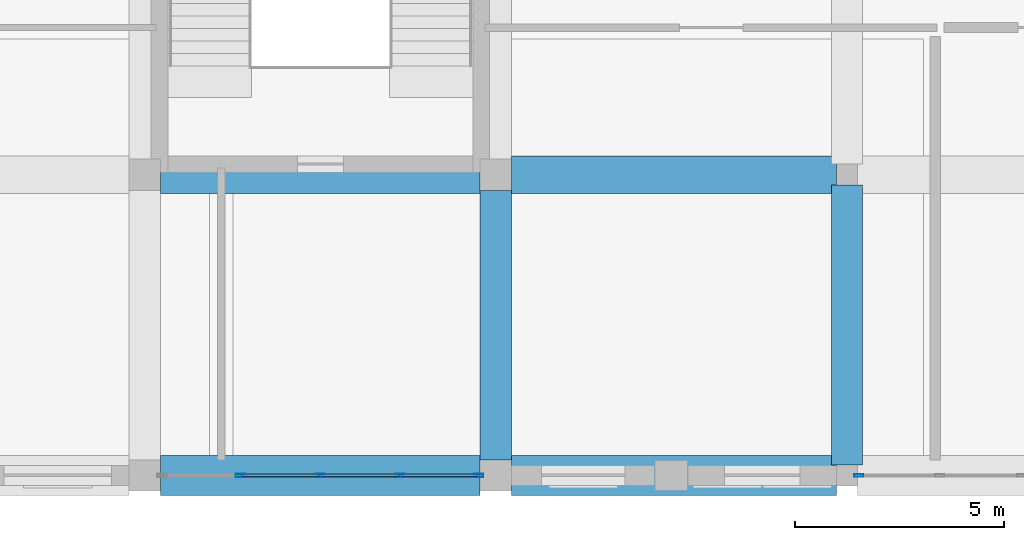
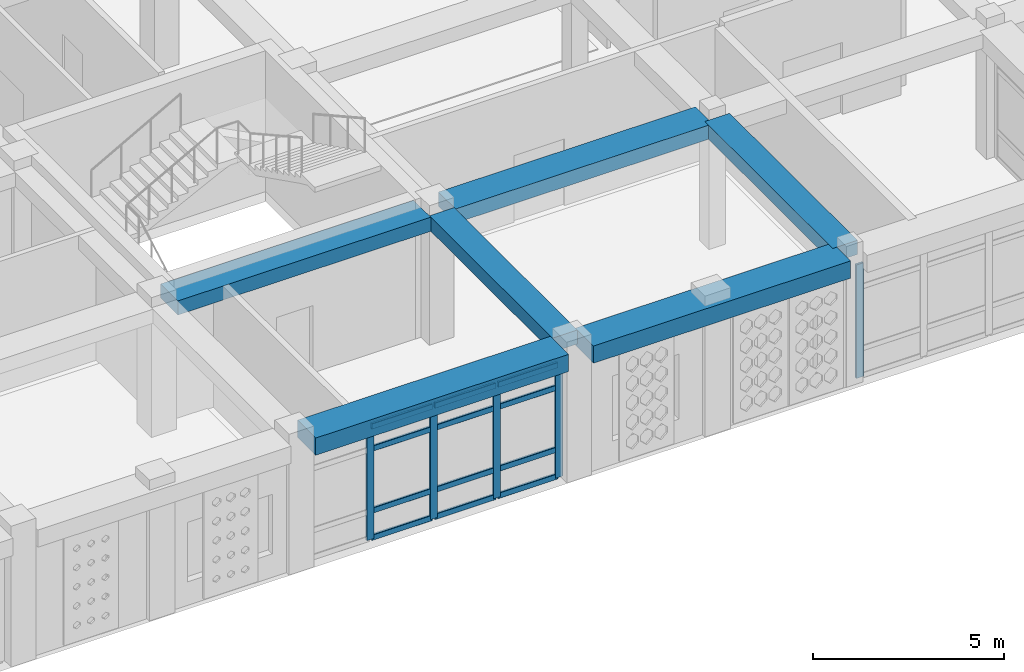
# One storey, part 53 of 121: 17 members, 6 beams, 2 elements without a shape of their own.
"""IFC4 building model written with IfcOpenShell, lengths in metres."""

from ifc_helpers import new_model, si_unit, derived_unit, direction, frame, origin, origin_2d, place, context, subcontext, project, spatial, rectangle, hollow_rectangle, extrude, material, material_profile, profile_set, type_object, element, aggregate, save


model = new_model("IFC4")

# Units and contexts
model_context = context("Model", 3, precision=1e-05, world=origin(), true_north=direction((0.0, 1.0)))
body_context = subcontext(model_context, "Body", "Model", "MODEL_VIEW")
ifc_project = project(units=[si_unit("LENGTHUNIT", "METRE"), si_unit("AREAUNIT", "SQUARE_METRE"), si_unit("VOLUMEUNIT", "CUBIC_METRE"), si_unit("PLANEANGLEUNIT", "RADIAN"), si_unit("MASSUNIT", "GRAM", prefix="KILO"), derived_unit("THERMALTRANSMITTANCEUNIT", [(si_unit("POWERUNIT", "WATT"), 1), (si_unit("LENGTHUNIT", "METRE"), -2), (si_unit("THERMODYNAMICTEMPERATUREUNIT", "KELVIN"), -1)])], contexts=[model_context])

# Site, building, storey
site_placement = place(None, origin())
site = spatial("IfcSite", under=ifc_project, at=site_placement, CompositionType="ELEMENT")
building_placement = place(site_placement, origin())
building = spatial("IfcBuilding", under=site, at=building_placement, Name="Veybourne Emporium", CompositionType="ELEMENT")
storey_placement = place(building_placement, frame((0.0, 0.0, 5.39990234375)))
storey = spatial("IfcBuildingStorey", under=building, at=storey_placement, Name="L01", CompositionType="ELEMENT", Elevation=5.39990234375)

# Curtain wall, members
ifc_material_1 = material(Name="Patinated Architectural Bronze", Category="bronze")
curtain_wall_type_1 = type_object("IfcCurtainWallType", Name="CWSystem_CWS-26", PredefinedType="NOTDEFINED", material=ifc_material_1)
curtain_wall_1_placement = place(storey_placement, origin())
curtain_wall_1 = element("IfcCurtainWall", 1, at=curtain_wall_1_placement, inside=storey, type_object=curtain_wall_type_1, Name="L01 bronze glazed curtain wall CWS-26 (067)", PredefinedType="NOTDEFINED")
ifc_material_profile_1 = material_profile(ifc_material_1, hollow_rectangle(XDim=0.074951171875, YDim=0.22998046875, WallThickness=0.0048828125, InnerFilletRadius=0.007568359375, OuterFilletRadius=0.012451171875, at=origin_2d()), Name="CWM 75x230x5")
ifc_profile_set_1 = profile_set([ifc_material_profile_1], Name="Patinated Architectural Bronze")
member_type_1 = type_object("IfcMemberType", Name="CWMullion_CW-M2", PredefinedType="MULLION", material=ifc_profile_set_1)
member_1_placement = place(storey_placement, frame((133.987548828125, 0.0, 0.0), z_axis=(0.0, 0.0, 1.0), x_axis=(0.0, -1.0, 0.0)))
member_1 = element("IfcMember", 2, at=member_1_placement, type_object=member_type_1, Name="CWS-26 mullion 1", PredefinedType="MULLION", context=body_context, shape_type="SweptSolid", body=[
    extrude(hollow_rectangle(XDim=0.074951171875, YDim=0.22998046875, WallThickness=0.0048828125, InnerFilletRadius=0.007568359375, OuterFilletRadius=0.012451171875, at=origin_2d()), origin(), (0.0, 0.0, 1.0), 3.630126953125),
])
member_2_placement = place(storey_placement, frame((132.112548828125, 0.0, 0.0), z_axis=(0.0, 0.0, 1.0), x_axis=(0.0, -1.0, 0.0)))
member_2 = element("IfcMember", 3, at=member_2_placement, type_object=member_type_1, Name="CWS-26 mullion 2", PredefinedType="MULLION", context=body_context, shape_type="SweptSolid", body=[
    extrude(hollow_rectangle(XDim=0.074951171875, YDim=0.22998046875, WallThickness=0.0048828125, InnerFilletRadius=0.007568359375, OuterFilletRadius=0.012451171875, at=origin_2d()), origin(), (0.0, 0.0, 1.0), 3.630126953125),
])
member_3_placement = place(storey_placement, frame((130.199951171875, 0.0, 0.0), z_axis=(0.0, 0.0, 1.0), x_axis=(0.0, -1.0, 0.0)))
member_3 = element("IfcMember", 4, at=member_3_placement, type_object=member_type_1, Name="CWS-26 mullion 3", PredefinedType="MULLION", context=body_context, shape_type="SweptSolid", body=[
    extrude(hollow_rectangle(XDim=0.074951171875, YDim=0.22998046875, WallThickness=0.0048828125, InnerFilletRadius=0.007568359375, OuterFilletRadius=0.012451171875, at=origin_2d()), origin(), (0.0, 0.0, 1.0), 3.630126953125),
])
member_4_placement = place(storey_placement, frame((128.28759765625, 0.0, 0.0), z_axis=(0.0, 0.0, 1.0), x_axis=(0.0, -1.0, 0.0)))
member_4 = element("IfcMember", 5, at=member_4_placement, type_object=member_type_1, Name="CWS-26 mullion 4", PredefinedType="MULLION", context=body_context, shape_type="SweptSolid", body=[
    extrude(hollow_rectangle(XDim=0.074951171875, YDim=0.22998046875, WallThickness=0.0048828125, InnerFilletRadius=0.007568359375, OuterFilletRadius=0.012451171875, at=origin_2d()), origin(), (0.0, 0.0, 1.0), 3.630126953125),
])

# Curtain wall, member
curtain_wall_type_2 = type_object("IfcCurtainWallType", Name="CWSystem_CWS-28", PredefinedType="NOTDEFINED", material=ifc_material_1)
curtain_wall_2_placement = place(storey_placement, origin())
curtain_wall_2 = element("IfcCurtainWall", 6, at=curtain_wall_2_placement, inside=storey, type_object=curtain_wall_type_2, Name="L01 bronze glazed curtain wall CWS-28 (072)", PredefinedType="NOTDEFINED")
ifc_material_profile_2 = material_profile(ifc_material_1, hollow_rectangle(XDim=0.070068359375, YDim=0.219970703125, WallThickness=0.0048828125, InnerFilletRadius=0.007568359375, OuterFilletRadius=0.012451171875, at=origin_2d()), Name="CWM 70x220x5")
ifc_profile_set_2 = profile_set([ifc_material_profile_2], Name="Patinated Architectural Bronze")
member_type_2 = type_object("IfcMemberType", Name="CWMullion_CW-M4", PredefinedType="MULLION", material=ifc_profile_set_2)
member_5_placement = place(storey_placement, frame((143.0849609375, 0.0, 0.0), z_axis=(0.0, 0.0, 1.0), x_axis=(0.0, -1.0, 0.0)))
member_5 = element("IfcMember", 7, at=member_5_placement, type_object=member_type_2, Name="CWS-28 mullion 5", PredefinedType="MULLION", context=body_context, shape_type="SweptSolid", body=[
    extrude(hollow_rectangle(XDim=0.070068359375, YDim=0.219970703125, WallThickness=0.0048828125, InnerFilletRadius=0.007568359375, OuterFilletRadius=0.012451171875, at=origin_2d()), origin(), (0.0, 0.0, 1.0), 3.630126953125),
])
aggregate(curtain_wall_2, [member_5])

# Member
ifc_material_profile_3 = material_profile(ifc_material_1, hollow_rectangle(XDim=0.074951171875, YDim=0.179931640625, WallThickness=0.0048828125, InnerFilletRadius=0.007568359375, OuterFilletRadius=0.012451171875, at=origin_2d()), Name="CWT 75x180x5")
ifc_profile_set_3 = profile_set([ifc_material_profile_3], Name="Patinated Architectural Bronze")
member_type_3 = type_object("IfcMemberType", Name="CWTransom_CW-T2", PredefinedType="NOTDEFINED", material=ifc_profile_set_3)
member_6_placement = place(storey_placement, frame((133.949951171875, 0.0, 0.03759765625), z_axis=(-1.0, 0.0, 0.0), x_axis=(0.0, -1.0, 0.0)))
member_6 = element("IfcMember", 8, at=member_6_placement, type_object=member_type_3, Name="CWS-26 transom 1.1", ObjectType="TRANSOM", PredefinedType="USERDEFINED", context=body_context, shape_type="SweptSolid", body=[
    extrude(hollow_rectangle(XDim=0.074951171875, YDim=0.179931640625, WallThickness=0.0048828125, InnerFilletRadius=0.007568359375, OuterFilletRadius=0.012451171875, at=origin_2d()), origin(), (0.0, 0.0, 1.0), 1.800048828125),
])

member_7_placement = place(storey_placement, frame((133.949951171875, 0.0, 0.900146484375), z_axis=(-1.0, 0.0, 0.0), x_axis=(0.0, -1.0, 0.0)))
member_7 = element("IfcMember", 9, at=member_7_placement, type_object=member_type_3, Name="CWS-26 transom 1.2", ObjectType="TRANSOM", PredefinedType="USERDEFINED", context=body_context, shape_type="SweptSolid", body=[
    extrude(hollow_rectangle(XDim=0.074951171875, YDim=0.179931640625, WallThickness=0.0048828125, InnerFilletRadius=0.007568359375, OuterFilletRadius=0.012451171875, at=origin_2d()), origin(), (0.0, 0.0, 1.0), 1.800048828125),
])

member_8_placement = place(storey_placement, frame((133.949951171875, 0.0, 2.880126953125), z_axis=(-1.0, 0.0, 0.0), x_axis=(0.0, -1.0, 0.0)))
member_8 = element("IfcMember", 10, at=member_8_placement, type_object=member_type_3, Name="CWS-26 transom 1.3", ObjectType="TRANSOM", PredefinedType="USERDEFINED", context=body_context, shape_type="SweptSolid", body=[
    extrude(hollow_rectangle(XDim=0.074951171875, YDim=0.179931640625, WallThickness=0.0048828125, InnerFilletRadius=0.007568359375, OuterFilletRadius=0.012451171875, at=origin_2d()), origin(), (0.0, 0.0, 1.0), 1.800048828125),
])

member_9_placement = place(storey_placement, frame((133.949951171875, 0.0, 3.592529296875), z_axis=(-1.0, 0.0, 0.0), x_axis=(0.0, -1.0, 0.0)))
member_9 = element("IfcMember", 11, at=member_9_placement, type_object=member_type_3, Name="CWS-26 transom 1.4", ObjectType="TRANSOM", PredefinedType="USERDEFINED", context=body_context, shape_type="SweptSolid", body=[
    extrude(hollow_rectangle(XDim=0.074951171875, YDim=0.179931640625, WallThickness=0.0048828125, InnerFilletRadius=0.007568359375, OuterFilletRadius=0.012451171875, at=origin_2d()), origin(), (0.0, 0.0, 1.0), 1.800048828125),
])

member_10_placement = place(storey_placement, frame((132.074951171875, 0.0, 0.03759765625), z_axis=(-1.0, 0.0, 0.0), x_axis=(0.0, -1.0, 0.0)))
member_10 = element("IfcMember", 12, at=member_10_placement, type_object=member_type_3, Name="CWS-26 transom 2.1", ObjectType="TRANSOM", PredefinedType="USERDEFINED", context=body_context, shape_type="SweptSolid", body=[
    extrude(hollow_rectangle(XDim=0.074951171875, YDim=0.179931640625, WallThickness=0.0048828125, InnerFilletRadius=0.007568359375, OuterFilletRadius=0.012451171875, at=origin_2d()), origin(), (0.0, 0.0, 1.0), 1.83740234375),
])

member_11_placement = place(storey_placement, frame((132.074951171875, 0.0, 0.900146484375), z_axis=(-1.0, 0.0, 0.0), x_axis=(0.0, -1.0, 0.0)))
member_11 = element("IfcMember", 13, at=member_11_placement, type_object=member_type_3, Name="CWS-26 transom 2.2", ObjectType="TRANSOM", PredefinedType="USERDEFINED", context=body_context, shape_type="SweptSolid", body=[
    extrude(hollow_rectangle(XDim=0.074951171875, YDim=0.179931640625, WallThickness=0.0048828125, InnerFilletRadius=0.007568359375, OuterFilletRadius=0.012451171875, at=origin_2d()), origin(), (0.0, 0.0, 1.0), 1.83740234375),
])

member_12_placement = place(storey_placement, frame((132.074951171875, 0.0, 2.880126953125), z_axis=(-1.0, 0.0, 0.0), x_axis=(0.0, -1.0, 0.0)))
member_12 = element("IfcMember", 14, at=member_12_placement, type_object=member_type_3, Name="CWS-26 transom 2.3", ObjectType="TRANSOM", PredefinedType="USERDEFINED", context=body_context, shape_type="SweptSolid", body=[
    extrude(hollow_rectangle(XDim=0.074951171875, YDim=0.179931640625, WallThickness=0.0048828125, InnerFilletRadius=0.007568359375, OuterFilletRadius=0.012451171875, at=origin_2d()), origin(), (0.0, 0.0, 1.0), 1.83740234375),
])

member_13_placement = place(storey_placement, frame((132.074951171875, 0.0, 3.592529296875), z_axis=(-1.0, 0.0, 0.0), x_axis=(0.0, -1.0, 0.0)))
member_13 = element("IfcMember", 15, at=member_13_placement, type_object=member_type_3, Name="CWS-26 transom 2.4", ObjectType="TRANSOM", PredefinedType="USERDEFINED", context=body_context, shape_type="SweptSolid", body=[
    extrude(hollow_rectangle(XDim=0.074951171875, YDim=0.179931640625, WallThickness=0.0048828125, InnerFilletRadius=0.007568359375, OuterFilletRadius=0.012451171875, at=origin_2d()), origin(), (0.0, 0.0, 1.0), 1.83740234375),
])

member_14_placement = place(storey_placement, frame((130.16259765625, 0.0, 0.03759765625), z_axis=(-1.0, 0.0, 0.0), x_axis=(0.0, -1.0, 0.0)))
member_14 = element("IfcMember", 16, at=member_14_placement, type_object=member_type_3, Name="CWS-26 transom 3.1", ObjectType="TRANSOM", PredefinedType="USERDEFINED", context=body_context, shape_type="SweptSolid", body=[
    extrude(hollow_rectangle(XDim=0.074951171875, YDim=0.179931640625, WallThickness=0.0048828125, InnerFilletRadius=0.007568359375, OuterFilletRadius=0.012451171875, at=origin_2d()), origin(), (0.0, 0.0, 1.0), 1.837646484375),
])

member_15_placement = place(storey_placement, frame((130.16259765625, 0.0, 0.900146484375), z_axis=(-1.0, 0.0, 0.0), x_axis=(0.0, -1.0, 0.0)))
member_15 = element("IfcMember", 17, at=member_15_placement, type_object=member_type_3, Name="CWS-26 transom 3.2", ObjectType="TRANSOM", PredefinedType="USERDEFINED", context=body_context, shape_type="SweptSolid", body=[
    extrude(hollow_rectangle(XDim=0.074951171875, YDim=0.179931640625, WallThickness=0.0048828125, InnerFilletRadius=0.007568359375, OuterFilletRadius=0.012451171875, at=origin_2d()), origin(), (0.0, 0.0, 1.0), 1.837646484375),
])

member_16_placement = place(storey_placement, frame((130.16259765625, 0.0, 2.880126953125), z_axis=(-1.0, 0.0, 0.0), x_axis=(0.0, -1.0, 0.0)))
member_16 = element("IfcMember", 18, at=member_16_placement, type_object=member_type_3, Name="CWS-26 transom 3.3", ObjectType="TRANSOM", PredefinedType="USERDEFINED", context=body_context, shape_type="SweptSolid", body=[
    extrude(hollow_rectangle(XDim=0.074951171875, YDim=0.179931640625, WallThickness=0.0048828125, InnerFilletRadius=0.007568359375, OuterFilletRadius=0.012451171875, at=origin_2d()), origin(), (0.0, 0.0, 1.0), 1.837646484375),
])

member_17_placement = place(storey_placement, frame((130.16259765625, 0.0, 3.592529296875), z_axis=(-1.0, 0.0, 0.0), x_axis=(0.0, -1.0, 0.0)))
member_17 = element("IfcMember", 19, at=member_17_placement, type_object=member_type_3, Name="CWS-26 transom 3.4", ObjectType="TRANSOM", PredefinedType="USERDEFINED", context=body_context, shape_type="SweptSolid", body=[
    extrude(hollow_rectangle(XDim=0.074951171875, YDim=0.179931640625, WallThickness=0.0048828125, InnerFilletRadius=0.007568359375, OuterFilletRadius=0.012451171875, at=origin_2d()), origin(), (0.0, 0.0, 1.0), 1.837646484375),
])

aggregate(curtain_wall_1, [member_1, member_2, member_3, member_4, member_6, member_7, member_8, member_9, member_10, member_11, member_12, member_13, member_14, member_15, member_16, member_17])

# Beams
ifc_material_2 = material(Name="Concrete C32/40", Category="concrete")
ifc_material_profile_4 = material_profile(ifc_material_2, rectangle(XDim=0.89990234375, YDim=0.449951171875, at=origin_2d()), Name="RC 900x450")
ifc_profile_set_4 = profile_set([ifc_material_profile_4], Name="Concrete C32/40")
beam_type_1 = type_object("IfcBeamType", Name="RCBeam_BB-03", PredefinedType="BEAM", material=ifc_profile_set_4)
beam_1_placement = place(storey_placement, frame((126.375, 7.199951171875, 3.955078125), z_axis=(1.0, 0.0, 0.0), x_axis=(0.0, 1.0, 0.0)))
element("IfcBeam", 20, at=beam_1_placement, inside=storey, type_object=beam_type_1, Name="L01 X-grid beam BB-03 (15,1)", PredefinedType="BEAM", context=body_context, shape_type="SweptSolid", body=[
    extrude(rectangle(XDim=0.89990234375, YDim=0.449951171875, at=origin_2d()), origin(), (0.0, 0.0, 1.0), 7.64990234375),
])
beam_2_placement = place(storey_placement, frame((134.77490234375, 7.199951171875, 3.955078125), z_axis=(1.0, 0.0, 0.0), x_axis=(0.0, 1.0, 0.0)))
element("IfcBeam", 21, at=beam_2_placement, inside=storey, type_object=beam_type_1, Name="L01 X-grid beam BB-03 (16,1)", PredefinedType="BEAM", context=body_context, shape_type="SweptSolid", body=[
    extrude(rectangle(XDim=0.89990234375, YDim=0.449951171875, at=origin_2d()), origin(), (0.0, 0.0, 1.0), 7.775146484375),
])
ifc_material_profile_5 = material_profile(ifc_material_2, rectangle(XDim=0.75, YDim=0.449951171875, at=origin_2d()), Name="RC 750x450")
ifc_profile_set_5 = profile_set([ifc_material_profile_5], Name="Concrete C32/40")
beam_type_2 = type_object("IfcBeamType", Name="RCBeam_BB-04", PredefinedType="BEAM", material=ifc_profile_set_5)
beam_3_placement = place(storey_placement, frame((134.39990234375, 0.375, 3.955078125), z_axis=(0.0, 1.0, 0.0), x_axis=(-1.0, 0.0, 0.0)))
element("IfcBeam", 22, at=beam_3_placement, inside=storey, type_object=beam_type_2, Name="L01 Y-grid beam BB-04 (16,0)", PredefinedType="BEAM", context=body_context, shape_type="SweptSolid", body=[
    extrude(rectangle(XDim=0.75, YDim=0.449951171875, at=origin_2d()), origin(), (0.0, 0.0, 1.0), 6.449951171875),
])
beam_4_placement = place(storey_placement, frame((142.800048828125, 0.25, 3.955078125), z_axis=(0.0, 1.0, 0.0), x_axis=(-1.0, 0.0, 0.0)))
element("IfcBeam", 23, at=beam_4_placement, inside=storey, type_object=beam_type_2, Name="L01 Y-grid beam BB-04 (17,0)", PredefinedType="BEAM", context=body_context, shape_type="SweptSolid", body=[
    extrude(rectangle(XDim=0.75, YDim=0.449951171875, at=origin_2d()), origin(), (0.0, 0.0, 1.0), 6.699951171875),
])
ifc_material_profile_6 = material_profile(ifc_material_2, rectangle(XDim=0.949951171875, YDim=0.550048828125, at=origin_2d()), Name="RC 950x550")
ifc_profile_set_6 = profile_set([ifc_material_profile_6], Name="Concrete C32/40")
beam_type_3 = type_object("IfcBeamType", Name="RCBeam_EB-01", PredefinedType="SPANDREL", material=ifc_profile_set_6)
beam_5_placement = place(storey_placement, frame((126.375, 0.0, 3.905029296875), z_axis=(1.0, 0.0, 0.0), x_axis=(0.0, 1.0, 0.0)))
element("IfcBeam", 24, at=beam_5_placement, inside=storey, type_object=beam_type_3, Name="L01 X-grid beam EB-01 (15,0)", PredefinedType="SPANDREL", context=body_context, shape_type="SweptSolid", body=[
    extrude(rectangle(XDim=0.949951171875, YDim=0.550048828125, at=origin_2d()), origin(), (0.0, 0.0, 1.0), 7.64990234375),
])
beam_6_placement = place(storey_placement, frame((134.77490234375, 0.0, 3.905029296875), z_axis=(1.0, 0.0, 0.0), x_axis=(0.0, 1.0, 0.0)))
element("IfcBeam", 25, at=beam_6_placement, inside=storey, type_object=beam_type_3, Name="L01 X-grid beam EB-01 (16,0)", PredefinedType="SPANDREL", context=body_context, shape_type="SweptSolid", body=[
    extrude(rectangle(XDim=0.949951171875, YDim=0.550048828125, at=origin_2d()), origin(), (0.0, 0.0, 1.0), 7.775146484375),
])

save(model, "model.ifc")
